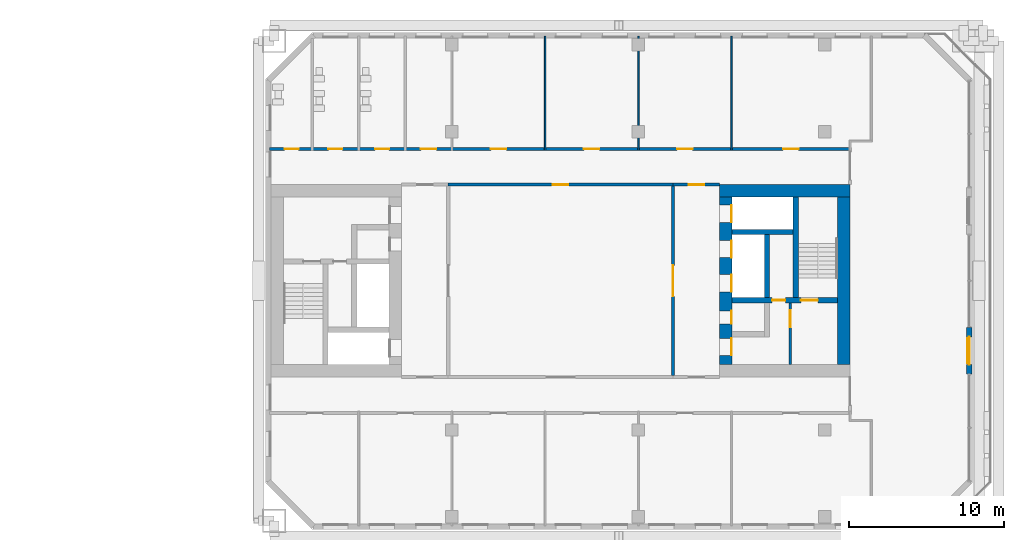
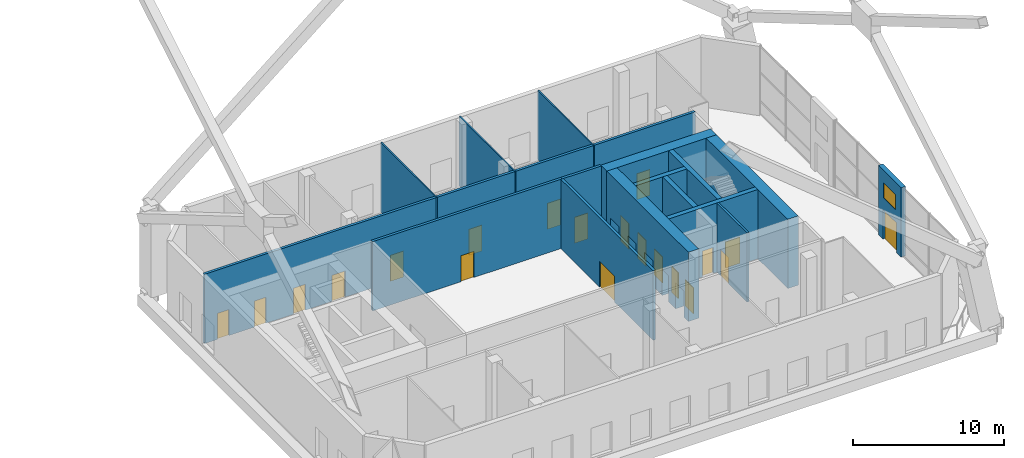
# One storey, part 15 of 20: 20 doors, 16 walls, 1 window, 21 openings.
"""IFC4 building model written with IfcOpenShell, lengths in metres."""

from ifc_helpers import new_model, si_unit, direction, frame, frame_2d, origin, place, context, subcontext, project, spatial, rectangle, extrude, material, layer, layer_set, type_object, element, fill, save


model = new_model("IFC4")

# Units and contexts
model_context = context("Model", 3, precision=1e-05, world=origin(), true_north=direction((0.0, 1.0)))
body_context = subcontext(model_context, "Body", "Model", "MODEL_VIEW")
ifc_project = project(units=[si_unit("LENGTHUNIT", "METRE"), si_unit("AREAUNIT", "SQUARE_METRE"), si_unit("VOLUMEUNIT", "CUBIC_METRE"), si_unit("PLANEANGLEUNIT", "RADIAN"), si_unit("MASSUNIT", "GRAM", prefix="KILO")], contexts=[model_context])

# Site, building, storey
site_placement = place(None, origin())
site = spatial("IfcSite", under=ifc_project, at=site_placement, CompositionType="ELEMENT")
building_placement = place(site_placement, origin())
building = spatial("IfcBuilding", under=site, at=building_placement, Name="Tuart Gate Housing", CompositionType="ELEMENT")
storey_placement = place(building_placement, frame((0.0, 0.0, 38.10009765625)))
storey = spatial("IfcBuildingStorey", under=building, at=storey_placement, Name="L10", CompositionType="ELEMENT", Elevation=38.10009765625)

# Wall, openings, door, window
ifc_material_1 = material(Name="Brick", Category="masonry")
ifc_layer_1 = layer(ifc_material_1, 0.360107421875)
ifc_layer_set_1 = layer_set([ifc_layer_1], Name="Brick pier and spandrel wall 360")
wall_type_1 = type_object("IfcWallType", Name="Brick pier and spandrel wall 360", PredefinedType="STANDARD", material=ifc_layer_set_1)
wall_1_placement = place(storey_placement, frame((176.320068359375, 64.0, 0.0), z_axis=(0.0, 0.0, 1.0), x_axis=(0.0, 1.0, 0.0)))
wall_1 = element("IfcWall", 1, at=wall_1_placement, inside=storey, type_object=wall_type_1, Name="External wall B-E L10", PredefinedType="STANDARD", context=body_context, shape_type="SweptSolid", body=[
    extrude(rectangle(XDim=3.0, YDim=0.360107421875, at=frame_2d((1.5, 0.0))), origin(), (0.0, 0.0, 1.0), 5.599853515625),
])
opening_1_placement = place(wall_1_placement, frame((0.699951171875, 0.0, 3.39990234375)))
opening_1 = element("IfcOpeningElement", 2, at=opening_1_placement, cuts=wall_1, Name="Opening W3", PredefinedType="OPENING", context=body_context, shape_type="SweptSolid", body=[
    extrude(rectangle(XDim=1.60009765625, YDim=1.199951171875, at=frame_2d((0.800048828125, 0.60009765625))), frame((0.0, 0.18994140625, 0.0), z_axis=(0.0, -1.0, 0.0), x_axis=(1.0, 0.0, 0.0)), (0.0, 0.0, 1.0), 0.380126953125),
])
opening_2_placement = place(wall_1_placement, frame((0.60009765625, 0.0, 0.0)))
opening_2 = element("IfcOpeningElement", 3, at=opening_2_placement, cuts=wall_1, Name="Opening D2843", PredefinedType="OPENING", context=body_context, shape_type="SweptSolid", body=[
    extrude(rectangle(XDim=1.800048828125, YDim=2.39990234375, at=frame_2d((0.89990234375, 1.199951171875))), frame((0.0, 0.18994140625, 0.0), z_axis=(0.0, -1.0, 0.0), x_axis=(1.0, 0.0, 0.0)), (0.0, 0.0, 1.0), 0.380126953125),
])
ifc_material_2 = material(Name="Aluminium framed glazed door", Category="aluminium")
door_type_1 = type_object("IfcDoorType", Name="Entrance door 1800 x 2400", OperationType="DOUBLE_DOOR_SINGLE_SWING", PredefinedType="DOOR", material=ifc_material_2)
door_1_placement = place(opening_2_placement, frame((1.800048828125, 0.0, 0.0), z_axis=(0.0, 0.0, 1.0), x_axis=(-1.0, 0.0, 0.0)))
door_1 = element("IfcDoor", 4, at=door_1_placement, inside=storey, type_object=door_type_1, Name="Leg B terrace door L10 1", OperationType="DOUBLE_DOOR_SINGLE_SWING", OverallHeight=2.39990234375, OverallWidth=1.800048828125, PredefinedType="DOOR", context=body_context, shape_type="SweptSolid", body=[
    extrude(rectangle(XDim=1.800048828125, YDim=2.39990234375, at=frame_2d((0.900146484375, 1.199951171875))), frame((0.0, 0.025146484375, 0.0), z_axis=(0.0, -1.0, 0.0), x_axis=(1.0, 0.0, 0.0)), (0.0, 0.0, 1.0), 0.050048828125),
])
fill(opening_2, door_1)
ifc_material_3 = material(Name="Aluminium louvre blades", Category="aluminium")
window_type = type_object("IfcWindowType", Name="Louvre window 1600 x 1200", PartitioningType="DOUBLE_PANEL_HORIZONTAL", PredefinedType="WINDOW", material=ifc_material_3)
window_placement = place(opening_1_placement, origin())
window = element("IfcWindow", 5, at=window_placement, inside=storey, type_object=window_type, Name="Louvre W3", OverallHeight=1.199951171875, OverallWidth=1.60009765625, PartitioningType="DOUBLE_PANEL_HORIZONTAL", PredefinedType="WINDOW", context=body_context, shape_type="SweptSolid", body=[
    extrude(rectangle(XDim=1.60009765625, YDim=1.199951171875, at=frame_2d((0.800048828125, 0.60009765625))), frame((0.0, 0.150146484375, 0.0), z_axis=(0.0, -1.0, 0.0), x_axis=(1.0, 0.0, 0.0)), (0.0, 0.0, 1.0), 0.06005859375),
])
fill(opening_1, window)

# Wall, opening, door
ifc_material_4 = material(Name="Plasterboard partition")
ifc_layer_2 = layer(ifc_material_4, 0.14990234375)
ifc_layer_set_2 = layer_set([ifc_layer_2], Name="Core partition 150")
wall_type_2 = type_object("IfcWallType", Name="Core partition 150", PredefinedType="PARTITIONING", material=ifc_layer_set_2)
wall_2_placement = place(storey_placement, frame((164.7900390625, 68.574951171875, 0.0), z_axis=(0.0, 0.0, 1.0), x_axis=(0.0, -1.0, 0.0)))
wall_2 = element("IfcWall", 6, at=wall_2_placement, inside=storey, type_object=wall_type_2, Name="Core partition BK.6", PredefinedType="PARTITIONING", context=body_context, shape_type="SweptSolid", body=[
    extrude(rectangle(XDim=3.974853515625, YDim=0.14990234375, at=frame_2d((1.9873046875, 0.0))), origin(), (0.0, 0.0, 1.0), 5.599853515625),
])
opening_3_placement = place(wall_2_placement, frame((0.46240234375, 0.0, 0.0)))
opening_3 = element("IfcOpeningElement", 7, at=opening_3_placement, cuts=wall_2, Name="Opening D2842", PredefinedType="OPENING", context=body_context, shape_type="SweptSolid", body=[
    extrude(rectangle(XDim=1.10009765625, YDim=2.10009765625, at=frame_2d((0.550048828125, 1.050048828125))), frame((0.0, 0.0849609375, 0.0), z_axis=(0.0, -1.0, 0.0), x_axis=(1.0, 0.0, 0.0)), (0.0, 0.0, 1.0), 0.169921875),
])
ifc_material_5 = material(Name="Steel fire door", Category="steel")
door_type_2 = type_object("IfcDoorType", Name="Lobby door 1100 x 2100", OperationType="SINGLE_SWING_LEFT", PredefinedType="DOOR", material=ifc_material_5)
door_2_placement = place(opening_3_placement, origin())
door_2 = element("IfcDoor", 8, at=door_2_placement, inside=storey, type_object=door_type_2, Name="Smoke lobby door BK.KD", OperationType="SINGLE_SWING_LEFT", OverallHeight=2.10009765625, OverallWidth=1.10009765625, PredefinedType="DOOR", context=body_context, shape_type="SweptSolid", body=[
    extrude(rectangle(XDim=1.10009765625, YDim=2.10009765625, at=frame_2d((0.550048828125, 1.050048828125))), frame((0.0, 0.02490234375, 0.0), z_axis=(0.0, -1.0, 0.0), x_axis=(1.0, 0.0, 0.0)), (0.0, 0.0, 1.0), 0.050048828125),
])
fill(opening_3, door_2)

# Wall
ifc_material_6 = material(Name="Concrete C60", Category="concrete")
ifc_layer_3 = layer(ifc_material_6, 0.35009765625)
ifc_layer_set_3 = layer_set([ifc_layer_3], Name="Core wall 350 C60")
wall_type_3 = type_object("IfcWallType", Name="Core wall 350 C60", PredefinedType="SHEAR", material=ifc_layer_set_3)
wall_3_placement = place(storey_placement, frame((161.0400390625, 73.14990234375, 0.0), z_axis=(0.0, 0.0, 1.0), x_axis=(1.0, 0.0, 0.0)))
element("IfcWall", 9, at=wall_3_placement, inside=storey, type_object=wall_type_3, Name="Core wall BK.1", PredefinedType="SHEAR", context=body_context, shape_type="SweptSolid", body=[
    extrude(rectangle(XDim=3.925048828125, YDim=0.35009765625, at=frame_2d((1.96240234375, 0.0))), origin(), (0.0, 0.0, 1.0), 5.599853515625),
])

# Wall, openings, doors
wall_4_placement = place(storey_placement, frame((161.0400390625, 68.75, 0.0), z_axis=(0.0, 0.0, 1.0), x_axis=(1.0, 0.0, 0.0)))
wall_4 = element("IfcWall", 10, at=wall_4_placement, inside=storey, type_object=wall_type_3, Name="Core wall BK.2", PredefinedType="SHEAR", context=body_context, shape_type="SweptSolid", body=[
    extrude(rectangle(XDim=6.800048828125, YDim=0.35009765625, at=frame_2d((3.39990234375, 0.0))), origin(), (0.0, 0.0, 1.0), 5.599853515625),
])
opening_4_placement = place(wall_4_placement, frame((4.425048828125, 0.0, 0.0)))
opening_4 = element("IfcOpeningElement", 11, at=opening_4_placement, cuts=wall_4, Name="Opening D2841", PredefinedType="OPENING", context=body_context, shape_type="SweptSolid", body=[
    extrude(rectangle(XDim=1.10009765625, YDim=2.10009765625, at=frame_2d((0.550048828125, 1.050048828125))), frame((0.0, 0.18505859375, 0.0), z_axis=(0.0, -1.0, 0.0), x_axis=(1.0, 0.0, 0.0)), (0.0, 0.0, 1.0), 0.3701171875),
])
opening_5_placement = place(wall_4_placement, frame((2.574951171875, 0.0, 0.0)))
opening_5 = element("IfcOpeningElement", 12, at=opening_5_placement, cuts=wall_4, Name="Opening D2840", PredefinedType="OPENING", context=body_context, shape_type="SweptSolid", body=[
    extrude(rectangle(XDim=0.85009765625, YDim=2.10009765625, at=frame_2d((0.425048828125, 1.050048828125))), frame((0.0, 0.18505859375, 0.0), z_axis=(0.0, -1.0, 0.0), x_axis=(1.0, 0.0, 0.0)), (0.0, 0.0, 1.0), 0.3701171875),
])
ifc_material_7 = material(Name="Steel fire door", Category="steel")
door_type_3 = type_object("IfcDoorType", Name="Riser door 850 x 2100", OperationType="SINGLE_SWING_LEFT", PredefinedType="DOOR", material=ifc_material_7)
door_3_placement = place(opening_5_placement, origin())
door_3 = element("IfcDoor", 13, at=door_3_placement, inside=storey, type_object=door_type_3, Name="Service room door BK.W1", OperationType="SINGLE_SWING_LEFT", OverallHeight=2.10009765625, OverallWidth=0.85009765625, PredefinedType="DOOR", context=body_context, shape_type="SweptSolid", body=[
    extrude(rectangle(XDim=0.85009765625, YDim=2.10009765625, at=frame_2d((0.425048828125, 1.050048828125))), frame((0.0, 0.02490234375, 0.0), z_axis=(0.0, -1.0, 0.0), x_axis=(1.0, 0.0, 0.0)), (0.0, 0.0, 1.0), 0.050048828125),
])
fill(opening_5, door_3)
ifc_material_8 = material(Name="Steel fire door", Category="steel")
door_type_4 = type_object("IfcDoorType", Name="Stair door 1100 x 2100", OperationType="SINGLE_SWING_LEFT", PredefinedType="DOOR", material=ifc_material_8)
door_4_placement = place(opening_4_placement, origin())
door_4 = element("IfcDoor", 14, at=door_4_placement, inside=storey, type_object=door_type_4, Name="Stair door BK.SD", OperationType="SINGLE_SWING_LEFT", OverallHeight=2.10009765625, OverallWidth=1.10009765625, PredefinedType="DOOR", context=body_context, shape_type="SweptSolid", body=[
    extrude(rectangle(XDim=1.10009765625, YDim=2.10009765625, at=frame_2d((0.550048828125, 1.050048828125))), frame((0.0, 0.02490234375, 0.0), z_axis=(0.0, -1.0, 0.0), x_axis=(1.0, 0.0, 0.0)), (0.0, 0.0, 1.0), 0.050048828125),
])
fill(opening_4, door_4)

# Walls
wall_5_placement = place(storey_placement, frame((163.2900390625, 72.97509765625, 0.0), z_axis=(0.0, 0.0, 1.0), x_axis=(0.0, -1.0, 0.0)))
element("IfcWall", 15, at=wall_5_placement, inside=storey, type_object=wall_type_3, Name="Core wall BK.4", PredefinedType="SHEAR", context=body_context, shape_type="SweptSolid", body=[
    extrude(rectangle(XDim=4.050048828125, YDim=0.35009765625, at=frame_2d((2.02490234375, 0.0))), origin(), (0.0, 0.0, 1.0), 5.599853515625),
])
wall_6_placement = place(storey_placement, frame((165.139892578125, 75.39990234375, 0.0), z_axis=(0.0, 0.0, 1.0), x_axis=(0.0, -1.0, 0.0)))
element("IfcWall", 16, at=wall_6_placement, inside=storey, type_object=wall_type_3, Name="Core wall BK.7", PredefinedType="SHEAR", context=body_context, shape_type="SweptSolid", body=[
    extrude(rectangle(XDim=6.474853515625, YDim=0.35009765625, at=frame_2d((3.2373046875, 0.0))), origin(), (0.0, 0.0, 1.0), 5.599853515625),
])

# Wall, openings, doors
ifc_material_9 = material(Name="Concrete C60", Category="concrete")
ifc_layer_4 = layer(ifc_material_9, 0.800048828125)
ifc_layer_set_4 = layer_set([ifc_layer_4], Name="Core wall 800 C60")
wall_type_4 = type_object("IfcWallType", Name="Core wall 800 C60", PredefinedType="SHEAR", material=ifc_layer_set_4)
wall_7_placement = place(storey_placement, frame((160.639892578125, 75.39990234375, 0.0), z_axis=(0.0, 0.0, 1.0), x_axis=(0.0, -1.0, 0.0)))
wall_7 = element("IfcWall", 17, at=wall_7_placement, inside=storey, type_object=wall_type_4, Name="Core wall BK front", PredefinedType="SHEAR", context=body_context, shape_type="SweptSolid", body=[
    extrude(rectangle(XDim=10.7998046875, YDim=0.800048828125, at=frame_2d((5.39990234375, 0.0))), origin(), (0.0, 0.0, 1.0), 5.599853515625),
])
opening_6_placement = place(wall_7_placement, frame((0.52490234375, 0.0, 0.0)))
opening_6 = element("IfcOpeningElement", 18, at=opening_6_placement, cuts=wall_7, Name="Opening LD-FB2", PredefinedType="OPENING", context=body_context, shape_type="SweptSolid", body=[
    extrude(rectangle(XDim=1.10009765625, YDim=2.10009765625, at=frame_2d((0.550048828125, 1.050048828125))), frame((0.0, 0.409912109375, 0.0), z_axis=(0.0, -1.0, 0.0), x_axis=(1.0, 0.0, 0.0)), (0.0, 0.0, 1.0), 0.820068359375),
])
opening_7_placement = place(wall_7_placement, frame((2.800048828125, 0.0, 0.0)))
opening_7 = element("IfcOpeningElement", 19, at=opening_7_placement, cuts=wall_7, Name="Opening LD-LB3", PredefinedType="OPENING", context=body_context, shape_type="SweptSolid", body=[
    extrude(rectangle(XDim=1.10009765625, YDim=2.10009765625, at=frame_2d((0.550048828125, 1.050048828125))), frame((0.0, 0.409912109375, 0.0), z_axis=(0.0, -1.0, 0.0), x_axis=(1.0, 0.0, 0.0)), (0.0, 0.0, 1.0), 0.820068359375),
])
opening_8_placement = place(wall_7_placement, frame((5.0, 0.0, 0.0)))
opening_8 = element("IfcOpeningElement", 20, at=opening_8_placement, cuts=wall_7, Name="Opening LD-LB4", PredefinedType="OPENING", context=body_context, shape_type="SweptSolid", body=[
    extrude(rectangle(XDim=1.10009765625, YDim=2.10009765625, at=frame_2d((0.550048828125, 1.050048828125))), frame((0.0, 0.409912109375, 0.0), z_axis=(0.0, -1.0, 0.0), x_axis=(1.0, 0.0, 0.0)), (0.0, 0.0, 1.0), 0.820068359375),
])
opening_9_placement = place(wall_7_placement, frame((9.10009765625, 0.0, 0.0)))
opening_9 = element("IfcOpeningElement", 21, at=opening_9_placement, cuts=wall_7, Name="Opening D2838", PredefinedType="OPENING", context=body_context, shape_type="SweptSolid", body=[
    extrude(rectangle(XDim=1.10009765625, YDim=2.10009765625, at=frame_2d((0.550048828125, 1.050048828125))), frame((0.0, 0.409912109375, 0.0), z_axis=(0.0, -1.0, 0.0), x_axis=(1.0, 0.0, 0.0)), (0.0, 0.0, 1.0), 0.820068359375),
])
opening_10_placement = place(wall_7_placement, frame((7.324951171875, 0.0, 0.0)))
opening_10 = element("IfcOpeningElement", 22, at=opening_10_placement, cuts=wall_7, Name="Opening D2839", PredefinedType="OPENING", context=body_context, shape_type="SweptSolid", body=[
    extrude(rectangle(XDim=0.85009765625, YDim=2.10009765625, at=frame_2d((0.425048828125, 1.050048828125))), frame((0.0, 0.409912109375, 0.0), z_axis=(0.0, -1.0, 0.0), x_axis=(1.0, 0.0, 0.0)), (0.0, 0.0, 1.0), 0.820068359375),
])
ifc_material_10 = material(Name="Stainless steel", Category="steel")
door_type_5 = type_object("IfcDoorType", Name="Landing door 1100 x 2100", OperationType="DOUBLE_DOOR_SLIDING", PredefinedType="DOOR", material=ifc_material_10)
door_5_placement = place(opening_6_placement, origin())
door_5 = element("IfcDoor", 23, at=door_5_placement, inside=storey, type_object=door_type_5, Name="Lift landing door FB2", OperationType="DOUBLE_DOOR_SLIDING", OverallHeight=2.10009765625, OverallWidth=1.10009765625, PredefinedType="DOOR", context=body_context, shape_type="SweptSolid", body=[
    extrude(rectangle(XDim=1.10009765625, YDim=2.10009765625, at=frame_2d((0.550048828125, 1.050048828125))), frame((0.0, 0.38525390625, 0.0), z_axis=(0.0, -1.0, 0.0), x_axis=(1.0, 0.0, 0.0)), (0.0, 0.0, 1.0), 0.050048828125),
])
fill(opening_6, door_5)
door_6_placement = place(opening_7_placement, origin())
door_6 = element("IfcDoor", 24, at=door_6_placement, inside=storey, type_object=door_type_5, Name="Lift landing door LB3", OperationType="DOUBLE_DOOR_SLIDING", OverallHeight=2.10009765625, OverallWidth=1.10009765625, PredefinedType="DOOR", context=body_context, shape_type="SweptSolid", body=[
    extrude(rectangle(XDim=1.10009765625, YDim=2.10009765625, at=frame_2d((0.550048828125, 1.050048828125))), frame((0.0, 0.38525390625, 0.0), z_axis=(0.0, -1.0, 0.0), x_axis=(1.0, 0.0, 0.0)), (0.0, 0.0, 1.0), 0.050048828125),
])
fill(opening_7, door_6)
door_7_placement = place(opening_8_placement, origin())
door_7 = element("IfcDoor", 25, at=door_7_placement, inside=storey, type_object=door_type_5, Name="Lift landing door LB4", OperationType="DOUBLE_DOOR_SLIDING", OverallHeight=2.10009765625, OverallWidth=1.10009765625, PredefinedType="DOOR", context=body_context, shape_type="SweptSolid", body=[
    extrude(rectangle(XDim=1.10009765625, YDim=2.10009765625, at=frame_2d((0.550048828125, 1.050048828125))), frame((0.0, 0.38525390625, 0.0), z_axis=(0.0, -1.0, 0.0), x_axis=(1.0, 0.0, 0.0)), (0.0, 0.0, 1.0), 0.050048828125),
])
fill(opening_8, door_7)
door_8_placement = place(opening_9_placement, origin())
door_8 = element("IfcDoor", 26, at=door_8_placement, inside=storey, type_object=door_type_2, Name="Lobby entry door BK.EN", OperationType="SINGLE_SWING_LEFT", OverallHeight=2.10009765625, OverallWidth=1.10009765625, PredefinedType="DOOR", context=body_context, shape_type="SweptSolid", body=[
    extrude(rectangle(XDim=1.10009765625, YDim=2.10009765625, at=frame_2d((0.550048828125, 1.050048828125))), frame((0.0, 0.38525390625, 0.0), z_axis=(0.0, -1.0, 0.0), x_axis=(1.0, 0.0, 0.0)), (0.0, 0.0, 1.0), 0.050048828125),
])
fill(opening_9, door_8)
ifc_material_11 = material(Name="Steel fire door", Category="steel")
door_type_6 = type_object("IfcDoorType", Name="Service door 850 x 2100", OperationType="SINGLE_SWING_LEFT", PredefinedType="DOOR", material=ifc_material_11)
door_9_placement = place(opening_10_placement, origin())
door_9 = element("IfcDoor", 27, at=door_9_placement, inside=storey, type_object=door_type_6, Name="Service room door BK.T1", OperationType="SINGLE_SWING_LEFT", OverallHeight=2.10009765625, OverallWidth=0.85009765625, PredefinedType="DOOR", context=body_context, shape_type="SweptSolid", body=[
    extrude(rectangle(XDim=0.85009765625, YDim=2.10009765625, at=frame_2d((0.425048828125, 1.050048828125))), frame((0.0, 0.38525390625, 0.0), z_axis=(0.0, -1.0, 0.0), x_axis=(1.0, 0.0, 0.0)), (0.0, 0.0, 1.0), 0.050048828125),
])
fill(opening_10, door_9)

# Walls
wall_8_placement = place(storey_placement, frame((168.239990234375, 75.39990234375, 0.0), z_axis=(0.0, 0.0, 1.0), x_axis=(0.0, -1.0, 0.0)))
element("IfcWall", 28, at=wall_8_placement, inside=storey, type_object=wall_type_4, Name="Core wall BK back", PredefinedType="SHEAR", context=body_context, shape_type="SweptSolid", body=[
    extrude(rectangle(XDim=10.7998046875, YDim=0.800048828125, at=frame_2d((5.39990234375, 0.0))), origin(), (0.0, 0.0, 1.0), 5.599853515625),
])
wall_9_placement = place(storey_placement, frame((160.239990234375, 75.800048828125, 0.0), z_axis=(0.0, 0.0, 1.0), x_axis=(1.0, 0.0, 0.0)))
element("IfcWall", 29, at=wall_9_placement, inside=storey, type_object=wall_type_4, Name="Core wall BK south", PredefinedType="SHEAR", context=body_context, shape_type="SweptSolid", body=[
    extrude(rectangle(XDim=8.39990234375, YDim=0.800048828125, at=frame_2d((4.199951171875, 0.0))), origin(), (0.0, 0.0, 1.0), 5.599853515625),
])

# Wall, opening, door
ifc_material_12 = material(Name="Concrete masonry 15 MPa", Category="masonry")
ifc_layer_5 = layer(ifc_material_12, 0.199951171875)
ifc_layer_set_5 = layer_set([ifc_layer_5], Name="Corridor wall masonry 200")
wall_type_5 = type_object("IfcWallType", Name="Corridor wall masonry 200", PredefinedType="PARTITIONING", material=ifc_layer_set_5)
wall_10_placement = place(storey_placement, frame((142.760009765625, 76.199951171875, 0.0), z_axis=(0.0, 0.0, 1.0), x_axis=(1.0, 0.0, 0.0)))
wall_10 = element("IfcWall", 30, at=wall_10_placement, inside=storey, type_object=wall_type_5, Name="Corridor wall masonry 200", PredefinedType="PARTITIONING", context=body_context, shape_type="SweptSolid", body=[
    extrude(rectangle(XDim=14.47998046875, YDim=0.199951171875, at=frame_2d((7.239990234375, 0.0))), origin(), (0.0, 0.0, 1.0), 5.599853515625),
])
opening_11_placement = place(wall_10_placement, frame((6.739990234375, 0.0, 0.0)))
opening_11 = element("IfcOpeningElement", 31, at=opening_11_placement, cuts=wall_10, Name="Opening D2829", PredefinedType="OPENING", context=body_context, shape_type="SweptSolid", body=[
    extrude(rectangle(XDim=1.0, YDim=2.10009765625, at=frame_2d((0.5, 1.050048828125))), frame((0.0, 0.10986328125, 0.0), z_axis=(0.0, -1.0, 0.0), x_axis=(1.0, 0.0, 0.0)), (0.0, 0.0, 1.0), 0.219970703125),
])
ifc_material_13 = material(Name="Timber door leaf in steel frame", Category="steel")
door_type_7 = type_object("IfcDoorType", Name="Fire door 1000 RH", OperationType="SINGLE_SWING_RIGHT", PredefinedType="DOOR", material=ifc_material_13)
door_10_placement = place(opening_11_placement, frame((1.0, 0.0, 0.0), z_axis=(0.0, 0.0, 1.0), x_axis=(-1.0, 0.0, 0.0)))
door_10 = element("IfcDoor", 32, at=door_10_placement, inside=storey, type_object=door_type_7, Name="Fire door 1000", OperationType="SINGLE_SWING_RIGHT", OverallHeight=2.10009765625, OverallWidth=1.0, PredefinedType="DOOR", context=body_context, shape_type="SweptSolid", body=[
    extrude(rectangle(XDim=1.0, YDim=2.10009765625, at=frame_2d((0.5, 1.050048828125))), frame((0.0, 0.025146484375, 0.0), z_axis=(0.0, -1.0, 0.0), x_axis=(1.0, 0.0, 0.0)), (0.0, 0.0, 1.0), 0.050048828125),
])
fill(opening_11, door_10)

# Wall, openings, doors
wall_11_placement = place(storey_placement, frame((131.239990234375, 78.5, 0.0), z_axis=(0.0, 0.0, 1.0), x_axis=(1.0, 0.0, 0.0)))
wall_11 = element("IfcWall", 33, at=wall_11_placement, inside=storey, type_object=wall_type_5, Name="Corridor wall masonry 200", PredefinedType="PARTITIONING", context=body_context, shape_type="SweptSolid", body=[
    extrude(rectangle(XDim=37.5, YDim=0.199951171875, at=frame_2d((18.75, 0.0))), origin(), (0.0, 0.0, 1.0), 5.599853515625),
])
opening_12_placement = place(wall_11_placement, frame((0.989990234375, 0.0, 0.0)))
opening_12 = element("IfcOpeningElement", 34, at=opening_12_placement, cuts=wall_11, Name="Opening D2824", PredefinedType="OPENING", context=body_context, shape_type="SweptSolid", body=[
    extrude(rectangle(XDim=0.89990234375, YDim=2.10009765625, at=frame_2d((0.449951171875, 1.050048828125))), frame((0.0, 0.10986328125, 0.0), z_axis=(0.0, -1.0, 0.0), x_axis=(1.0, 0.0, 0.0)), (0.0, 0.0, 1.0), 0.219970703125),
])
opening_13_placement = place(wall_11_placement, frame((3.81005859375, 0.0, 0.0)))
opening_13 = element("IfcOpeningElement", 35, at=opening_13_placement, cuts=wall_11, Name="Opening D2825", PredefinedType="OPENING", context=body_context, shape_type="SweptSolid", body=[
    extrude(rectangle(XDim=0.89990234375, YDim=2.10009765625, at=frame_2d((0.449951171875, 1.050048828125))), frame((0.0, 0.10986328125, 0.0), z_axis=(0.0, -1.0, 0.0), x_axis=(1.0, 0.0, 0.0)), (0.0, 0.0, 1.0), 0.219970703125),
])
opening_14_placement = place(wall_11_placement, frame((6.81005859375, 0.0, 0.0)))
opening_14 = element("IfcOpeningElement", 36, at=opening_14_placement, cuts=wall_11, Name="Opening D2826", PredefinedType="OPENING", context=body_context, shape_type="SweptSolid", body=[
    extrude(rectangle(XDim=0.89990234375, YDim=2.10009765625, at=frame_2d((0.449951171875, 1.050048828125))), frame((0.0, 0.10986328125, 0.0), z_axis=(0.0, -1.0, 0.0), x_axis=(1.0, 0.0, 0.0)), (0.0, 0.0, 1.0), 0.219970703125),
])
opening_15_placement = place(wall_11_placement, frame((9.760009765625, 0.0, 0.0)))
opening_15 = element("IfcOpeningElement", 37, at=opening_15_placement, cuts=wall_11, Name="Opening D2819", PredefinedType="OPENING", context=body_context, shape_type="SweptSolid", body=[
    extrude(rectangle(XDim=1.0, YDim=2.10009765625, at=frame_2d((0.5, 1.050048828125))), frame((0.0, 0.10986328125, 0.0), z_axis=(0.0, -1.0, 0.0), x_axis=(1.0, 0.0, 0.0)), (0.0, 0.0, 1.0), 0.219970703125),
])
opening_16_placement = place(wall_11_placement, frame((14.260009765625, 0.0, 0.0)))
opening_16 = element("IfcOpeningElement", 38, at=opening_16_placement, cuts=wall_11, Name="Opening D2820", PredefinedType="OPENING", context=body_context, shape_type="SweptSolid", body=[
    extrude(rectangle(XDim=1.0, YDim=2.10009765625, at=frame_2d((0.5, 1.050048828125))), frame((0.0, 0.10986328125, 0.0), z_axis=(0.0, -1.0, 0.0), x_axis=(1.0, 0.0, 0.0)), (0.0, 0.0, 1.0), 0.219970703125),
])
opening_17_placement = place(wall_11_placement, frame((20.260009765625, 0.0, 0.0)))
opening_17 = element("IfcOpeningElement", 39, at=opening_17_placement, cuts=wall_11, Name="Opening D2821", PredefinedType="OPENING", context=body_context, shape_type="SweptSolid", body=[
    extrude(rectangle(XDim=1.0, YDim=2.10009765625, at=frame_2d((0.5, 1.050048828125))), frame((0.0, 0.10986328125, 0.0), z_axis=(0.0, -1.0, 0.0), x_axis=(1.0, 0.0, 0.0)), (0.0, 0.0, 1.0), 0.219970703125),
])
opening_18_placement = place(wall_11_placement, frame((26.260009765625, 0.0, 0.0)))
opening_18 = element("IfcOpeningElement", 40, at=opening_18_placement, cuts=wall_11, Name="Opening D2822", PredefinedType="OPENING", context=body_context, shape_type="SweptSolid", body=[
    extrude(rectangle(XDim=1.0, YDim=2.10009765625, at=frame_2d((0.5, 1.050048828125))), frame((0.0, 0.10986328125, 0.0), z_axis=(0.0, -1.0, 0.0), x_axis=(1.0, 0.0, 0.0)), (0.0, 0.0, 1.0), 0.219970703125),
])
opening_19_placement = place(wall_11_placement, frame((33.080078125, 0.0, 0.0)))
opening_19 = element("IfcOpeningElement", 41, at=opening_19_placement, cuts=wall_11, Name="Opening D2823", PredefinedType="OPENING", context=body_context, shape_type="SweptSolid", body=[
    extrude(rectangle(XDim=1.0, YDim=2.10009765625, at=frame_2d((0.5, 1.050048828125))), frame((0.0, 0.10986328125, 0.0), z_axis=(0.0, -1.0, 0.0), x_axis=(1.0, 0.0, 0.0)), (0.0, 0.0, 1.0), 0.219970703125),
])
ifc_material_14 = material(Name="Timber door leaf in steel frame", Category="steel")
door_type_8 = type_object("IfcDoorType", Name="Fire door 1000", OperationType="SINGLE_SWING_LEFT", PredefinedType="DOOR", material=ifc_material_14)
door_11_placement = place(opening_15_placement, origin())
door_11 = element("IfcDoor", 42, at=door_11_placement, inside=storey, type_object=door_type_8, Name="Fire door 1000", OperationType="SINGLE_SWING_LEFT", OverallHeight=2.10009765625, OverallWidth=1.0, PredefinedType="DOOR", context=body_context, shape_type="SweptSolid", body=[
    extrude(rectangle(XDim=1.0, YDim=2.10009765625, at=frame_2d((0.5, 1.050048828125))), frame((0.0, 0.02490234375, 0.0), z_axis=(0.0, -1.0, 0.0), x_axis=(1.0, 0.0, 0.0)), (0.0, 0.0, 1.0), 0.050048828125),
])
fill(opening_15, door_11)
door_12_placement = place(opening_16_placement, origin())
door_12 = element("IfcDoor", 43, at=door_12_placement, inside=storey, type_object=door_type_8, Name="Fire door 1000", OperationType="SINGLE_SWING_LEFT", OverallHeight=2.10009765625, OverallWidth=1.0, PredefinedType="DOOR", context=body_context, shape_type="SweptSolid", body=[
    extrude(rectangle(XDim=1.0, YDim=2.10009765625, at=frame_2d((0.5, 1.050048828125))), frame((0.0, 0.02490234375, 0.0), z_axis=(0.0, -1.0, 0.0), x_axis=(1.0, 0.0, 0.0)), (0.0, 0.0, 1.0), 0.050048828125),
])
fill(opening_16, door_12)
door_13_placement = place(opening_17_placement, origin())
door_13 = element("IfcDoor", 44, at=door_13_placement, inside=storey, type_object=door_type_8, Name="Fire door 1000", OperationType="SINGLE_SWING_LEFT", OverallHeight=2.10009765625, OverallWidth=1.0, PredefinedType="DOOR", context=body_context, shape_type="SweptSolid", body=[
    extrude(rectangle(XDim=1.0, YDim=2.10009765625, at=frame_2d((0.5, 1.050048828125))), frame((0.0, 0.02490234375, 0.0), z_axis=(0.0, -1.0, 0.0), x_axis=(1.0, 0.0, 0.0)), (0.0, 0.0, 1.0), 0.050048828125),
])
fill(opening_17, door_13)
door_14_placement = place(opening_18_placement, origin())
door_14 = element("IfcDoor", 45, at=door_14_placement, inside=storey, type_object=door_type_8, Name="Fire door 1000", OperationType="SINGLE_SWING_LEFT", OverallHeight=2.10009765625, OverallWidth=1.0, PredefinedType="DOOR", context=body_context, shape_type="SweptSolid", body=[
    extrude(rectangle(XDim=1.0, YDim=2.10009765625, at=frame_2d((0.5, 1.050048828125))), frame((0.0, 0.02490234375, 0.0), z_axis=(0.0, -1.0, 0.0), x_axis=(1.0, 0.0, 0.0)), (0.0, 0.0, 1.0), 0.050048828125),
])
fill(opening_18, door_14)
door_15_placement = place(opening_19_placement, origin())
door_15 = element("IfcDoor", 46, at=door_15_placement, inside=storey, type_object=door_type_8, Name="Fire door 1000", OperationType="SINGLE_SWING_LEFT", OverallHeight=2.10009765625, OverallWidth=1.0, PredefinedType="DOOR", context=body_context, shape_type="SweptSolid", body=[
    extrude(rectangle(XDim=1.0, YDim=2.10009765625, at=frame_2d((0.5, 1.050048828125))), frame((0.0, 0.02490234375, 0.0), z_axis=(0.0, -1.0, 0.0), x_axis=(1.0, 0.0, 0.0)), (0.0, 0.0, 1.0), 0.050048828125),
])
fill(opening_19, door_15)
ifc_material_15 = material(Name="Timber door leaf in steel frame", Category="steel")
door_type_9 = type_object("IfcDoorType", Name="Fire door 900", OperationType="SINGLE_SWING_LEFT", PredefinedType="DOOR", material=ifc_material_15)
door_16_placement = place(opening_12_placement, origin())
door_16 = element("IfcDoor", 47, at=door_16_placement, inside=storey, type_object=door_type_9, Name="Fire door 900", OperationType="SINGLE_SWING_LEFT", OverallHeight=2.10009765625, OverallWidth=0.89990234375, PredefinedType="DOOR", context=body_context, shape_type="SweptSolid", body=[
    extrude(rectangle(XDim=0.89990234375, YDim=2.10009765625, at=frame_2d((0.449951171875, 1.050048828125))), frame((0.0, 0.02490234375, 0.0), z_axis=(0.0, -1.0, 0.0), x_axis=(1.0, 0.0, 0.0)), (0.0, 0.0, 1.0), 0.050048828125),
])
fill(opening_12, door_16)
door_17_placement = place(opening_13_placement, origin())
door_17 = element("IfcDoor", 48, at=door_17_placement, inside=storey, type_object=door_type_9, Name="Fire door 900", OperationType="SINGLE_SWING_LEFT", OverallHeight=2.10009765625, OverallWidth=0.89990234375, PredefinedType="DOOR", context=body_context, shape_type="SweptSolid", body=[
    extrude(rectangle(XDim=0.89990234375, YDim=2.10009765625, at=frame_2d((0.449951171875, 1.050048828125))), frame((0.0, 0.02490234375, 0.0), z_axis=(0.0, -1.0, 0.0), x_axis=(1.0, 0.0, 0.0)), (0.0, 0.0, 1.0), 0.050048828125),
])
fill(opening_13, door_17)
door_18_placement = place(opening_14_placement, origin())
door_18 = element("IfcDoor", 49, at=door_18_placement, inside=storey, type_object=door_type_9, Name="Fire door 900", OperationType="SINGLE_SWING_LEFT", OverallHeight=2.10009765625, OverallWidth=0.89990234375, PredefinedType="DOOR", context=body_context, shape_type="SweptSolid", body=[
    extrude(rectangle(XDim=0.89990234375, YDim=2.10009765625, at=frame_2d((0.449951171875, 1.050048828125))), frame((0.0, 0.02490234375, 0.0), z_axis=(0.0, -1.0, 0.0), x_axis=(1.0, 0.0, 0.0)), (0.0, 0.0, 1.0), 0.050048828125),
])
fill(opening_14, door_18)

# Wall, opening, door
ifc_material_16 = material(Name="Concrete masonry 15 MPa", Category="masonry")
ifc_layer_6 = layer(ifc_material_16, 0.199951171875)
ifc_layer_set_6 = layer_set([ifc_layer_6], Name="Enclosure wall masonry 200")
wall_type_6 = type_object("IfcWallType", Name="Enclosure wall masonry 200", PredefinedType="PARTITIONING", material=ifc_layer_set_6)
wall_12_placement = place(storey_placement, frame((157.239990234375, 76.199951171875, 0.0), z_axis=(0.0, 0.0, 1.0), x_axis=(1.0, 0.0, 0.0)))
wall_12 = element("IfcWall", 50, at=wall_12_placement, inside=storey, type_object=wall_type_6, Name="Enclosure wall masonry 200", PredefinedType="PARTITIONING", context=body_context, shape_type="SweptSolid", body=[
    extrude(rectangle(XDim=3.0, YDim=0.199951171875, at=frame_2d((1.5, 0.0))), origin(), (0.0, 0.0, 1.0), 5.599853515625),
])
opening_20_placement = place(wall_12_placement, frame((1.0, 0.0, 0.0)))
opening_20 = element("IfcOpeningElement", 51, at=opening_20_placement, cuts=wall_12, Name="Opening D2830", PredefinedType="OPENING", context=body_context, shape_type="SweptSolid", body=[
    extrude(rectangle(XDim=1.0, YDim=2.10009765625, at=frame_2d((0.5, 1.050048828125))), frame((0.0, 0.10986328125, 0.0), z_axis=(0.0, -1.0, 0.0), x_axis=(1.0, 0.0, 0.0)), (0.0, 0.0, 1.0), 0.219970703125),
])
ifc_material_17 = material(Name="Timber door leaf in steel frame", Category="steel")
door_type_10 = type_object("IfcDoorType", Name="Lobby door 1000 RH", OperationType="SINGLE_SWING_RIGHT", PredefinedType="DOOR", material=ifc_material_17)
door_19_placement = place(opening_20_placement, frame((1.0, 0.0, 0.0), z_axis=(0.0, 0.0, 1.0), x_axis=(-1.0, 0.0, 0.0)))
door_19 = element("IfcDoor", 52, at=door_19_placement, inside=storey, type_object=door_type_10, Name="Lobby door 1000", OperationType="SINGLE_SWING_RIGHT", OverallHeight=2.10009765625, OverallWidth=1.0, PredefinedType="DOOR", context=body_context, shape_type="SweptSolid", body=[
    extrude(rectangle(XDim=1.0, YDim=2.10009765625, at=frame_2d((0.5, 1.050048828125))), frame((0.0, 0.025146484375, 0.0), z_axis=(0.0, -1.0, 0.0), x_axis=(1.0, 0.0, 0.0)), (0.0, 0.0, 1.0), 0.050048828125),
])
fill(opening_20, door_19)

ifc_material_18 = material(Name="Plasterboard partition")
ifc_layer_7 = layer(ifc_material_18, 0.199951171875)
ifc_layer_set_7 = layer_set([ifc_layer_7], Name="Lobby wall 200")
wall_type_7 = type_object("IfcWallType", Name="Lobby wall 200", PredefinedType="PARTITIONING", material=ifc_layer_set_7)
wall_13_placement = place(storey_placement, frame((157.239990234375, 63.89990234375, 0.0), z_axis=(0.0, 0.0, 1.0), x_axis=(0.0, 1.0, 0.0)))
wall_13 = element("IfcWall", 53, at=wall_13_placement, inside=storey, type_object=wall_type_7, Name="Lift lobby wall BK", PredefinedType="PARTITIONING", context=body_context, shape_type="SweptSolid", body=[
    extrude(rectangle(XDim=12.2001953125, YDim=0.199951171875, at=frame_2d((6.10009765625, 0.0))), origin(), (0.0, 0.0, 1.0), 5.599853515625),
])
opening_21_placement = place(wall_13_placement, frame((5.10009765625, 0.0, 0.0)))
opening_21 = element("IfcOpeningElement", 54, at=opening_21_placement, cuts=wall_13, Name="Opening D2837", PredefinedType="OPENING", context=body_context, shape_type="SweptSolid", body=[
    extrude(rectangle(XDim=2.0, YDim=2.10009765625, at=frame_2d((1.0, 1.050048828125))), frame((0.0, 0.10986328125, 0.0), z_axis=(0.0, -1.0, 0.0), x_axis=(1.0, 0.0, 0.0)), (0.0, 0.0, 1.0), 0.219970703125),
])
ifc_material_19 = material(Name="Steel fire door", Category="steel")
door_type_11 = type_object("IfcDoorType", Name="Smoke door 2000 x 2100", OperationType="DOUBLE_DOOR_SINGLE_SWING", PredefinedType="DOOR", material=ifc_material_19)
door_20_placement = place(opening_21_placement, origin())
door_20 = element("IfcDoor", 55, at=door_20_placement, inside=storey, type_object=door_type_11, Name="Lift lobby smoke door BK", OperationType="DOUBLE_DOOR_SINGLE_SWING", OverallHeight=2.10009765625, OverallWidth=2.0, PredefinedType="DOOR", context=body_context, shape_type="SweptSolid", body=[
    extrude(rectangle(XDim=2.0, YDim=2.10009765625, at=frame_2d((1.0, 1.050048828125))), frame((0.0, 0.02490234375, 0.0), z_axis=(0.0, -1.0, 0.0), x_axis=(1.0, 0.0, 0.0)), (0.0, 0.0, 1.0), 0.050048828125),
])
fill(opening_21, door_20)

# Walls
ifc_material_20 = material(Name="Gypsum board on steel studs", Category="steel")
ifc_layer_8 = layer(ifc_material_20, 0.10009765625)
ifc_layer_set_8 = layer_set([ifc_layer_8], Name="Partition 100")
wall_type_8 = type_object("IfcWallType", Name="Partition 100", PredefinedType="PARTITIONING", material=ifc_layer_set_8)
for number, where, z_axis, x_axis, name in (
    (56, (149.0, 78.39990234375, 0.0), (0.0, 0.0, 1.0), (0.0, 1.0, 0.0), "Partition 100"),
    (57, (155.0, 78.39990234375, 0.0), (0.0, 0.0, 1.0), (0.0, 1.0, 0.0), "Partition 100"),
    (58, (161.0, 78.39990234375, 0.0), (0.0, 0.0, 1.0), (0.0, 1.0, 0.0), "Partition 100"),
):
    element("IfcWall", number, at=place(storey_placement, frame(where, z_axis=z_axis, x_axis=x_axis)), inside=storey, type_object=wall_type_8, Name=name, PredefinedType="PARTITIONING", context=body_context, shape_type="SweptSolid", body=[
        extrude(rectangle(XDim=7.360107421875, YDim=0.10009765625, at=frame_2d((3.68017578125, 0.0))), origin(), (0.0, 0.0, 1.0), 5.599853515625),
    ])

save(model, "model.ifc")
